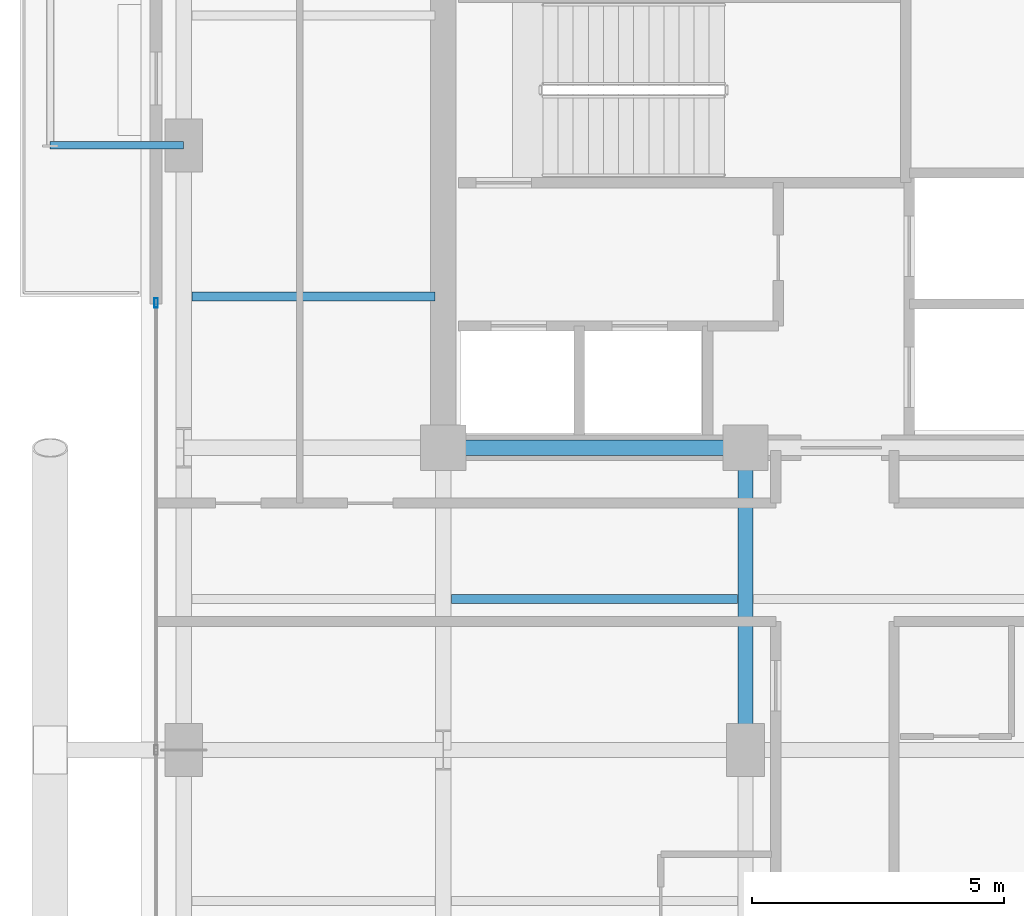
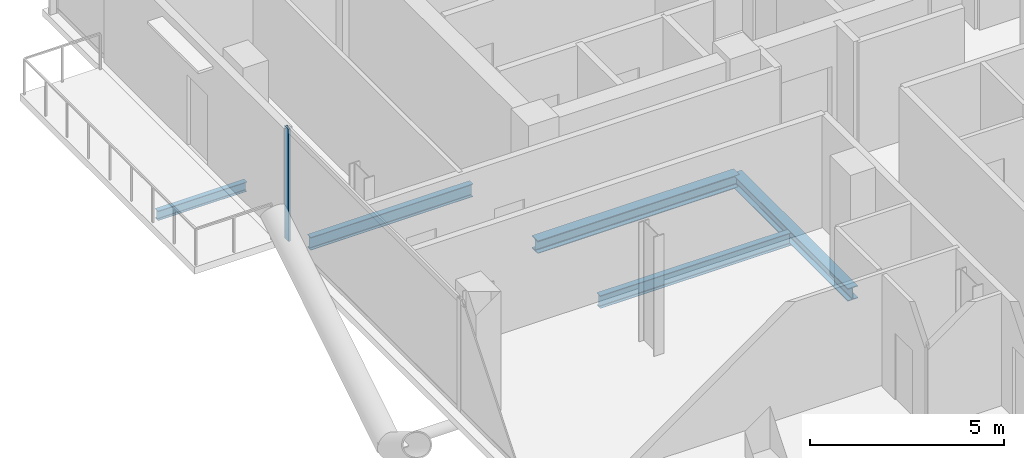
# One storey, part 7 of 25: 5 beams, 1 member, 1 element without a shape of its own.
"""IFC4 building model written with IfcOpenShell, lengths in metres."""

from ifc_helpers import new_model, si_unit, direction, frame, origin, origin_2d, place, context, subcontext, project, spatial, hollow_rectangle, i_section, extrude, material, layer, layer_set, material_profile, profile_set, type_object, element, aggregate, save


model = new_model("IFC4")

# Units and contexts
model_context = context("Model", 3, precision=1e-05, world=origin(), true_north=direction((0.0, 1.0)))
body_context = subcontext(model_context, "Body", "Model", "MODEL_VIEW")
ifc_project = project(units=[si_unit("LENGTHUNIT", "METRE"), si_unit("AREAUNIT", "SQUARE_METRE"), si_unit("VOLUMEUNIT", "CUBIC_METRE"), si_unit("PLANEANGLEUNIT", "RADIAN"), si_unit("MASSUNIT", "GRAM", prefix="KILO"), si_unit("THERMODYNAMICTEMPERATUREUNIT", "KELVIN"), si_unit("POWERUNIT", "WATT")], contexts=[model_context])

# Site, building, storey
site_placement = place(None, origin())
site = spatial("IfcSite", under=ifc_project, at=site_placement, CompositionType="ELEMENT")
building_placement = place(site_placement, origin())
building = spatial("IfcBuilding", under=site, at=building_placement, Name="Svarakhadi Broadcast Tower", CompositionType="ELEMENT")
storey_placement = place(building_placement, frame((0.0, 0.0, 216.14990234375)))
storey = spatial("IfcBuildingStorey", under=building, at=storey_placement, Name="L53", CompositionType="ELEMENT", Elevation=216.14990234375)

# Beams
ifc_material_1 = material(Name="Steel S355J2 (IS 2062 E350C)", Category="steel")
ifc_material_profile_1 = material_profile(ifc_material_1, i_section(OverallWidth=0.179931640625, OverallDepth=0.39990234375, WebThickness=0.008544921875, FlangeThickness=0.013427734375, FilletRadius=0.02099609375, at=origin_2d()), Name="NPB 400x180x66")
ifc_profile_set_1 = profile_set([ifc_material_profile_1], Name="Steel S355J2 (IS 2062 E350C)")
beam_type_1 = type_object("IfcBeamType", Name="Beam_NPB400", PredefinedType="BEAM", material=ifc_profile_set_1)
beam_1_placement = place(storey_placement, frame((1.010009765625, 21.0, -0.409912109375), z_axis=(1.0, 0.0, 0.0), x_axis=(0.0, 1.0, 0.0)))
element("IfcBeam", 1, at=beam_1_placement, inside=storey, type_object=beam_type_1, Name="L53 Secondary Composite Beam SB003", PredefinedType="BEAM", context=body_context, shape_type="SweptSolid", body=[
    extrude(i_section(OverallWidth=0.179931640625, OverallDepth=0.39990234375, WebThickness=0.008544921875, FlangeThickness=0.013427734375, FilletRadius=0.02099609375, at=origin_2d()), origin(), (0.0, 0.0, 1.0), 4.830078125),
])
beam_2_placement = place(storey_placement, frame((6.159912109375, 15.0, -0.409912109375), z_axis=(1.0, 0.0, 0.0), x_axis=(0.0, 1.0, 0.0)))
element("IfcBeam", 2, at=beam_2_placement, inside=storey, type_object=beam_type_1, Name="L53 Secondary Composite Beam SB007", PredefinedType="BEAM", context=body_context, shape_type="SweptSolid", body=[
    extrude(i_section(OverallWidth=0.179931640625, OverallDepth=0.39990234375, WebThickness=0.008544921875, FlangeThickness=0.013427734375, FilletRadius=0.02099609375, at=origin_2d()), origin(), (0.0, 0.0, 1.0), 5.68017578125),
])

# Curtain wall, member
ifc_material_2 = material(Name="Anodised Bronze Aluminium AA 6063-T6", Category="aluminium")
ifc_layer = layer(ifc_material_2, 0.18994140625)
ifc_layer_set = layer_set([ifc_layer], Name="Anodised Bronze Aluminium AA 6063-T6")
curtain_wall_type = type_object("IfcCurtainWallType", Name="CW_Sys_04", PredefinedType="NOTDEFINED", material=ifc_layer_set)
curtain_wall_placement = place(storey_placement, origin())
curtain_wall = element("IfcCurtainWall", 3, at=curtain_wall_placement, inside=storey, type_object=curtain_wall_type, Name="L53 West Curtain Wall 02", PredefinedType="NOTDEFINED")
ifc_material_profile_2 = material_profile(ifc_material_2, hollow_rectangle(XDim=0.070068359375, YDim=0.18994140625, WallThickness=0.005615234375, at=origin_2d()), Name="ALU MULLION 190x70x6")
ifc_profile_set_2 = profile_set([ifc_material_profile_2], Name="Anodised Bronze Aluminium AA 6063-T6")
member_type = type_object("IfcMemberType", Name="CW_Sys_04_Mul", PredefinedType="MULLION", material=ifc_profile_set_2)
member_placement = place(storey_placement, frame((0.300048828125, 20.875, 0.0), z_axis=(0.0, 0.0, 1.0), x_axis=(-1.0, 0.0, 0.0)))
member = element("IfcMember", 4, at=member_placement, type_object=member_type, Name="CW-04 mullion 3", PredefinedType="MULLION", context=body_context, shape_type="SweptSolid", body=[
    extrude(hollow_rectangle(XDim=0.070068359375, YDim=0.18994140625, WallThickness=0.005615234375, at=origin_2d()), origin(), (0.0, 0.0, 1.0), 3.5400390625),
])
aggregate(curtain_wall, [member])

# Beams
ifc_material_profile_3 = material_profile(ifc_material_1, i_section(OverallWidth=0.300048828125, OverallDepth=0.39990234375, WebThickness=0.013427734375, FlangeThickness=0.02392578125, FilletRadius=0.027099609375, at=origin_2d()), Name="WPB 400x300x155")
ifc_profile_set_3 = profile_set([ifc_material_profile_3], Name="Steel S355J2 (IS 2062 E350C)")
beam_type_2 = type_object("IfcBeamType", Name="Girder_WPB400", PredefinedType="USERDEFINED", material=ifc_profile_set_3)
for number, where, z_axis, x_axis, name in (
    (5, (6.0, 18.0, -0.409912109375), (1.0, 0.0, 0.0), (0.0, 1.0, 0.0), "L53 Primary E-W Girder G021"),
    (6, (12.0, 12.0, -0.409912109375), (0.0, 1.0, 0.0), (-1.0, 0.0, 0.0), "L53 Primary N-S Girder G044"),
):
    element("IfcBeam", number, at=place(storey_placement, frame(where, z_axis=z_axis, x_axis=x_axis)), inside=storey, type_object=beam_type_2, Name=name, ObjectType="GIRDER", PredefinedType="USERDEFINED", context=body_context, shape_type="SweptSolid", body=[
        extrude(i_section(OverallWidth=0.300048828125, OverallDepth=0.39990234375, WebThickness=0.013427734375, FlangeThickness=0.02392578125, FilletRadius=0.027099609375, at=origin_2d()), origin(), (0.0, 0.0, 1.0), 6.0),
    ])
ifc_material_profile_4 = material_profile(ifc_material_1, i_section(OverallWidth=0.14990234375, OverallDepth=0.300048828125, WebThickness=0.007080078125, FlangeThickness=0.0107421875, FilletRadius=0.014892578125, at=origin_2d()), Name="NPB 300x150x37")
ifc_profile_set_4 = profile_set([ifc_material_profile_4], Name="Steel S355J2 (IS 2062 E350C)")
beam_type_3 = type_object("IfcBeamType", Name="Spandrel_NPB300", PredefinedType="SPANDREL", material=ifc_profile_set_4)
beam_3_placement = place(storey_placement, frame((0.85009765625, 24.0, -0.375), z_axis=(-1.0, 0.0, 0.0), x_axis=(0.0, -1.0, 0.0)))
element("IfcBeam", 7, at=beam_3_placement, inside=storey, type_object=beam_type_3, Name="L53 Balcony Cantilever Bracket 2A", PredefinedType="SPANDREL", context=body_context, shape_type="SweptSolid", body=[
    extrude(i_section(OverallWidth=0.14990234375, OverallDepth=0.300048828125, WebThickness=0.007080078125, FlangeThickness=0.0107421875, FilletRadius=0.014892578125, at=origin_2d()), origin(), (0.0, 0.0, 1.0), 2.650146484375),
])

save(model, "model.ifc")
